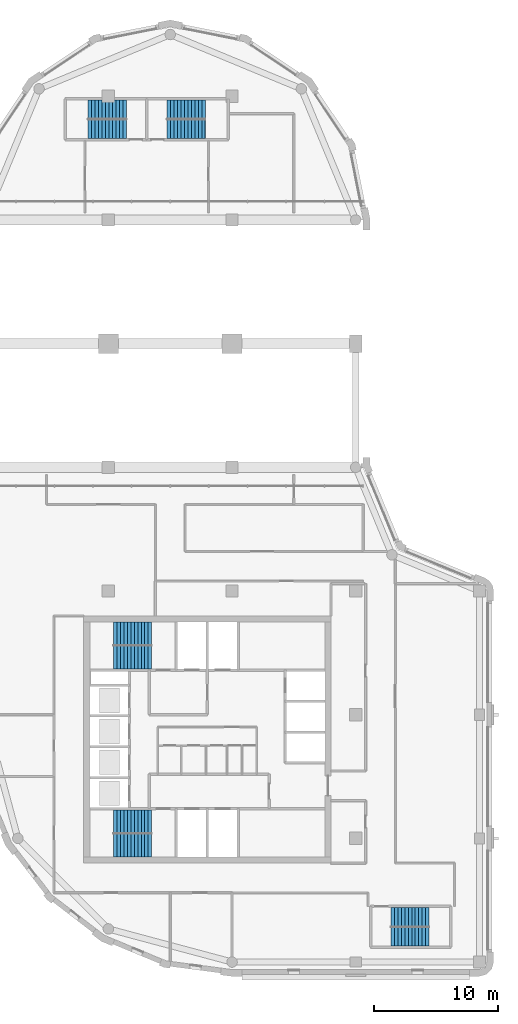
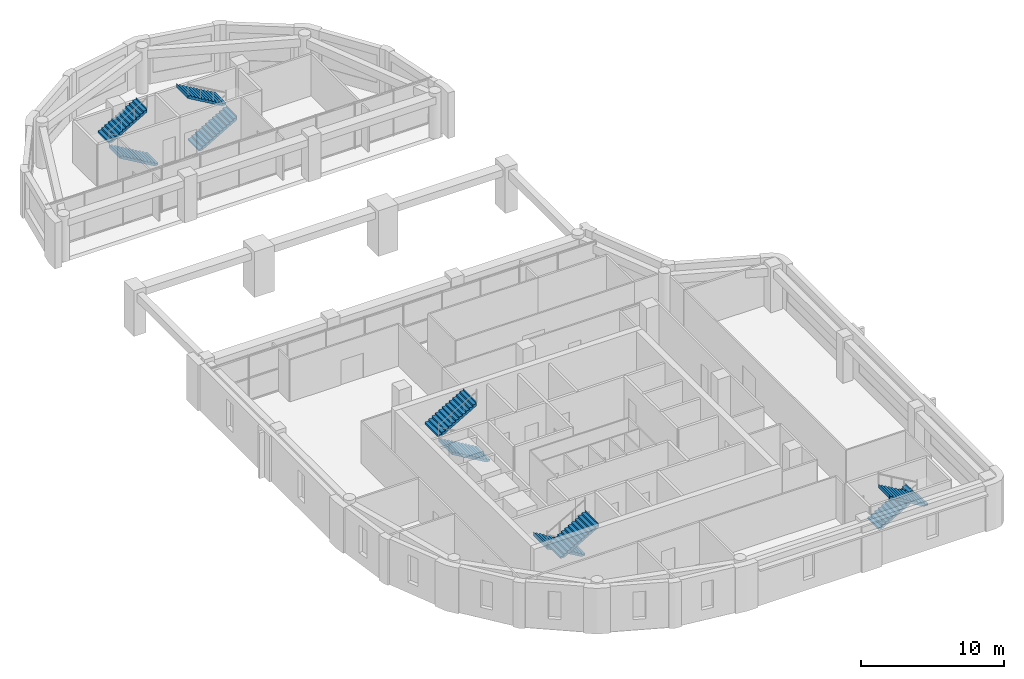
# One storey, part 9 of 11: 10 stair flights, 5 elements without a shape of their own.
"""IFC4 building model written with IfcOpenShell, lengths in metres."""

from ifc_helpers import new_model, si_unit, direction, frame, origin, place, context, subcontext, project, spatial, polyline, outline, extrude, material, type_object, element, aggregate, save


model = new_model("IFC4")

# Units and contexts
model_context = context("Model", 3, precision=1e-05, world=origin(), true_north=direction((0.0, 1.0)))
body_context = subcontext(model_context, "Body", "Model", "MODEL_VIEW")
ifc_project = project(units=[si_unit("LENGTHUNIT", "METRE"), si_unit("AREAUNIT", "SQUARE_METRE"), si_unit("VOLUMEUNIT", "CUBIC_METRE"), si_unit("PLANEANGLEUNIT", "RADIAN"), si_unit("MASSUNIT", "GRAM", prefix="KILO")], contexts=[model_context])

# Site, building, storey
site_placement = place(None, origin())
site = spatial("IfcSite", under=ifc_project, at=site_placement, CompositionType="ELEMENT")
building_placement = place(site_placement, origin())
building = spatial("IfcBuilding", under=site, at=building_placement, Name="Qaws Garden Tower", CompositionType="ELEMENT")
storey_placement = place(building_placement, frame((0.0, 0.0, 325.5)))
storey = spatial("IfcBuildingStorey", under=building, at=storey_placement, Name="L79", CompositionType="ELEMENT", Elevation=325.5)

# Stair, stair flights
ifc_material_1 = material(Name="Concrete C40", Category="concrete")
stair_type_1 = type_object("IfcStairType", Name="Exit stair 1350", PredefinedType="HALF_TURN_STAIR", material=ifc_material_1)
placement = place(storey_placement, origin())
stair_1 = element("IfcStair", 1, at=placement, inside=storey, type_object=stair_type_1, Name="Stair 5", PredefinedType="HALF_TURN_STAIR")
ifc_material_2 = material(Name="Concrete C40", Category="concrete")
stair_flight_type_1 = type_object("IfcStairFlightType", Name="Stair flight 1350", PredefinedType="STRAIGHT", material=ifc_material_2)
stair_flight_1_placement = place(storey_placement, frame((32.85009765625, 3.625, 0.0), z_axis=(0.0, 0.0, 1.0), x_axis=(1.0, 0.0, 0.0)))
stair_flight_1 = element("IfcStairFlight", 2, at=stair_flight_1_placement, type_object=stair_flight_type_1, Name="ST5 flight 1", NumberOfRisers=12, NumberOfTreads=11, PredefinedType="STRAIGHT", RiserHeight=0.1625, TreadLength=0.28, context=body_context, shape_type="SweptSolid", body=[
    extrude(outline(polyline([(-0.0029296875, 0.0), (-0.0029296875, 0.16259765625), (0.0, 0.16259765625), (0.280029296875, 0.16259765625), (0.280029296875, 0.324951171875), (0.56005859375, 0.324951171875), (0.56005859375, 0.487548828125), (0.840087890625, 0.487548828125), (0.840087890625, 0.64990234375), (1.1201171875, 0.64990234375), (1.1201171875, 0.8125), (1.39990234375, 0.8125), (1.39990234375, 0.97509765625), (1.679931640625, 0.97509765625), (1.679931640625, 1.137451171875), (1.9599609375, 1.137451171875), (1.9599609375, 1.300048828125), (2.239990234375, 1.300048828125), (2.239990234375, 1.46240234375), (2.52001953125, 1.46240234375), (2.52001953125, 1.625), (2.800048828125, 1.625), (2.800048828125, 1.78759765625), (3.080078125, 1.78759765625), (3.080078125, 1.949951171875), (3.0830078125, 1.949951171875), (3.0830078125, 1.6142578125), (3.080078125, 1.6142578125), (0.298583984375, 0.0), (-0.0029296875, 0.0)])), frame((0.0, 0.77490234375, 0.0), z_axis=(0.0, -1.0, 0.0), x_axis=(1.0, 0.0, 0.0)), (0.0, 0.0, 1.0), 1.550048828125),
])
stair_flight_2_placement = place(storey_placement, frame((35.929931640625, 2.074951171875, 1.949951171875), z_axis=(0.0, 0.0, 1.0), x_axis=(-1.0, 0.0, 0.0)))
stair_flight_2 = element("IfcStairFlight", 3, at=stair_flight_2_placement, type_object=stair_flight_type_1, Name="ST5 flight 2", NumberOfRisers=12, NumberOfTreads=11, PredefinedType="STRAIGHT", RiserHeight=0.1625, TreadLength=0.28, context=body_context, shape_type="SweptSolid", body=[
    extrude(outline(polyline([(-0.0029296875, 0.0), (-0.0029296875, 0.16259765625), (0.0, 0.16259765625), (0.280029296875, 0.16259765625), (0.280029296875, 0.324951171875), (0.56005859375, 0.324951171875), (0.56005859375, 0.487548828125), (0.840087890625, 0.487548828125), (0.840087890625, 0.64990234375), (1.1201171875, 0.64990234375), (1.1201171875, 0.8125), (1.39990234375, 0.8125), (1.39990234375, 0.97509765625), (1.679931640625, 0.97509765625), (1.679931640625, 1.137451171875), (1.9599609375, 1.137451171875), (1.9599609375, 1.300048828125), (2.239990234375, 1.300048828125), (2.239990234375, 1.46240234375), (2.52001953125, 1.46240234375), (2.52001953125, 1.625), (2.800048828125, 1.625), (2.800048828125, 1.78759765625), (3.080078125, 1.78759765625), (3.080078125, 1.949951171875), (3.0830078125, 1.949951171875), (3.0830078125, 1.6142578125), (3.080078125, 1.6142578125), (0.298583984375, 0.0), (-0.0029296875, 0.0)])), frame((0.0, 0.77490234375, 0.0), z_axis=(0.0, -1.0, 0.0), x_axis=(1.0, 0.0, 0.0)), (0.0, 0.0, 1.0), 1.550048828125),
])
aggregate(stair_1, [stair_flight_1, stair_flight_2])

stair_2 = element("IfcStair", 4, at=placement, inside=storey, type_object=stair_type_1, Name="Stair 6", PredefinedType="HALF_TURN_STAIR")
stair_flight_3_placement = place(storey_placement, frame((11.449951171875, 67.375, 0.0), z_axis=(0.0, 0.0, 1.0), x_axis=(-1.0, 0.0, 0.0)))
stair_flight_3 = element("IfcStairFlight", 5, at=stair_flight_3_placement, type_object=stair_flight_type_1, Name="ST6 flight 1", NumberOfRisers=12, NumberOfTreads=11, PredefinedType="STRAIGHT", RiserHeight=0.1625, TreadLength=0.28, context=body_context, shape_type="SweptSolid", body=[
    extrude(outline(polyline([(-0.0029296875, 0.0), (-0.0029296875, 0.16259765625), (0.0, 0.16259765625), (0.280029296875, 0.16259765625), (0.280029296875, 0.324951171875), (0.56005859375, 0.324951171875), (0.56005859375, 0.487548828125), (0.840087890625, 0.487548828125), (0.840087890625, 0.64990234375), (1.1201171875, 0.64990234375), (1.1201171875, 0.8125), (1.39990234375, 0.8125), (1.39990234375, 0.97509765625), (1.679931640625, 0.97509765625), (1.679931640625, 1.137451171875), (1.9599609375, 1.137451171875), (1.9599609375, 1.300048828125), (2.239990234375, 1.300048828125), (2.239990234375, 1.46240234375), (2.52001953125, 1.46240234375), (2.52001953125, 1.625), (2.800048828125, 1.625), (2.800048828125, 1.78759765625), (3.080078125, 1.78759765625), (3.080078125, 1.949951171875), (3.0830078125, 1.949951171875), (3.0830078125, 1.6142578125), (3.080078125, 1.6142578125), (0.298583984375, 0.0), (-0.0029296875, 0.0)])), frame((0.0, 0.77490234375, 0.0), z_axis=(0.0, -1.0, 0.0), x_axis=(1.0, 0.0, 0.0)), (0.0, 0.0, 1.0), 1.550048828125),
])
stair_flight_4_placement = place(storey_placement, frame((8.3701171875, 68.925048828125, 1.949951171875), z_axis=(0.0, 0.0, 1.0), x_axis=(1.0, 0.0, 0.0)))
stair_flight_4 = element("IfcStairFlight", 6, at=stair_flight_4_placement, type_object=stair_flight_type_1, Name="ST6 flight 2", NumberOfRisers=12, NumberOfTreads=11, PredefinedType="STRAIGHT", RiserHeight=0.1625, TreadLength=0.28, context=body_context, shape_type="SweptSolid", body=[
    extrude(outline(polyline([(-0.0029296875, 0.0), (-0.0029296875, 0.16259765625), (0.0, 0.16259765625), (0.280029296875, 0.16259765625), (0.280029296875, 0.324951171875), (0.56005859375, 0.324951171875), (0.56005859375, 0.487548828125), (0.840087890625, 0.487548828125), (0.840087890625, 0.64990234375), (1.1201171875, 0.64990234375), (1.1201171875, 0.8125), (1.39990234375, 0.8125), (1.39990234375, 0.97509765625), (1.679931640625, 0.97509765625), (1.679931640625, 1.137451171875), (1.9599609375, 1.137451171875), (1.9599609375, 1.300048828125), (2.239990234375, 1.300048828125), (2.239990234375, 1.46240234375), (2.52001953125, 1.46240234375), (2.52001953125, 1.625), (2.800048828125, 1.625), (2.800048828125, 1.78759765625), (3.080078125, 1.78759765625), (3.080078125, 1.949951171875), (3.0830078125, 1.949951171875), (3.0830078125, 1.6142578125), (3.080078125, 1.6142578125), (0.298583984375, 0.0), (-0.0029296875, 0.0)])), frame((0.0, 0.77490234375, 0.0), z_axis=(0.0, -1.0, 0.0), x_axis=(1.0, 0.0, 0.0)), (0.0, 0.0, 1.0), 1.550048828125),
])
aggregate(stair_2, [stair_flight_3, stair_flight_4])

stair_3 = element("IfcStair", 7, at=placement, inside=storey, type_object=stair_type_1, Name="Stair 7", PredefinedType="HALF_TURN_STAIR")
stair_flight_5_placement = place(storey_placement, frame((14.75, 67.375, 0.0), z_axis=(0.0, 0.0, 1.0), x_axis=(1.0, 0.0, 0.0)))
stair_flight_5 = element("IfcStairFlight", 8, at=stair_flight_5_placement, type_object=stair_flight_type_1, Name="ST7 flight 1", NumberOfRisers=12, NumberOfTreads=11, PredefinedType="STRAIGHT", RiserHeight=0.1625, TreadLength=0.28, context=body_context, shape_type="SweptSolid", body=[
    extrude(outline(polyline([(-0.0029296875, 0.0), (-0.0029296875, 0.16259765625), (0.0, 0.16259765625), (0.280029296875, 0.16259765625), (0.280029296875, 0.324951171875), (0.56005859375, 0.324951171875), (0.56005859375, 0.487548828125), (0.840087890625, 0.487548828125), (0.840087890625, 0.64990234375), (1.1201171875, 0.64990234375), (1.1201171875, 0.8125), (1.39990234375, 0.8125), (1.39990234375, 0.97509765625), (1.679931640625, 0.97509765625), (1.679931640625, 1.137451171875), (1.9599609375, 1.137451171875), (1.9599609375, 1.300048828125), (2.239990234375, 1.300048828125), (2.239990234375, 1.46240234375), (2.52001953125, 1.46240234375), (2.52001953125, 1.625), (2.800048828125, 1.625), (2.800048828125, 1.78759765625), (3.080078125, 1.78759765625), (3.080078125, 1.949951171875), (3.0830078125, 1.949951171875), (3.0830078125, 1.6142578125), (3.080078125, 1.6142578125), (0.298583984375, 0.0), (-0.0029296875, 0.0)])), frame((0.0, 0.77490234375, 0.0), z_axis=(0.0, -1.0, 0.0), x_axis=(1.0, 0.0, 0.0)), (0.0, 0.0, 1.0), 1.550048828125),
])
stair_flight_6_placement = place(storey_placement, frame((17.830078125, 68.925048828125, 1.949951171875), z_axis=(0.0, 0.0, 1.0), x_axis=(-1.0, 0.0, 0.0)))
stair_flight_6 = element("IfcStairFlight", 9, at=stair_flight_6_placement, type_object=stair_flight_type_1, Name="ST7 flight 2", NumberOfRisers=12, NumberOfTreads=11, PredefinedType="STRAIGHT", RiserHeight=0.1625, TreadLength=0.28, context=body_context, shape_type="SweptSolid", body=[
    extrude(outline(polyline([(-0.0029296875, 0.0), (-0.0029296875, 0.16259765625), (0.0, 0.16259765625), (0.280029296875, 0.16259765625), (0.280029296875, 0.324951171875), (0.56005859375, 0.324951171875), (0.56005859375, 0.487548828125), (0.840087890625, 0.487548828125), (0.840087890625, 0.64990234375), (1.1201171875, 0.64990234375), (1.1201171875, 0.8125), (1.39990234375, 0.8125), (1.39990234375, 0.97509765625), (1.679931640625, 0.97509765625), (1.679931640625, 1.137451171875), (1.9599609375, 1.137451171875), (1.9599609375, 1.300048828125), (2.239990234375, 1.300048828125), (2.239990234375, 1.46240234375), (2.52001953125, 1.46240234375), (2.52001953125, 1.625), (2.800048828125, 1.625), (2.800048828125, 1.78759765625), (3.080078125, 1.78759765625), (3.080078125, 1.949951171875), (3.0830078125, 1.949951171875), (3.0830078125, 1.6142578125), (3.080078125, 1.6142578125), (0.298583984375, 0.0), (-0.0029296875, 0.0)])), frame((0.0, 0.77490234375, 0.0), z_axis=(0.0, -1.0, 0.0), x_axis=(1.0, 0.0, 0.0)), (0.0, 0.0, 1.0), 1.550048828125),
])
aggregate(stair_3, [stair_flight_5, stair_flight_6])

ifc_material_3 = material(Name="Concrete C40", Category="concrete")
stair_type_2 = type_object("IfcStairType", Name="Exit stair 1500", PredefinedType="HALF_TURN_STAIR", material=ifc_material_3)
stair_4 = element("IfcStair", 10, at=placement, inside=storey, type_object=stair_type_2, Name="Stair 1", PredefinedType="HALF_TURN_STAIR")
ifc_material_4 = material(Name="Concrete C40", Category="concrete")
stair_flight_type_2 = type_object("IfcStairFlightType", Name="Stair flight 1500", PredefinedType="STRAIGHT", material=ifc_material_4)
stair_flight_7_placement = place(storey_placement, frame((13.5, 11.35009765625, 0.0), z_axis=(0.0, 0.0, 1.0), x_axis=(-1.0, 0.0, 0.0)))
stair_flight_7 = element("IfcStairFlight", 11, at=stair_flight_7_placement, type_object=stair_flight_type_2, Name="ST1 flight 1", NumberOfRisers=12, NumberOfTreads=11, PredefinedType="STRAIGHT", RiserHeight=0.1625, TreadLength=0.28, context=body_context, shape_type="SweptSolid", body=[
    extrude(outline(polyline([(-0.0029296875, 0.0), (-0.0029296875, 0.16259765625), (0.0, 0.16259765625), (0.280029296875, 0.16259765625), (0.280029296875, 0.324951171875), (0.56005859375, 0.324951171875), (0.56005859375, 0.487548828125), (0.840087890625, 0.487548828125), (0.840087890625, 0.64990234375), (1.1201171875, 0.64990234375), (1.1201171875, 0.8125), (1.39990234375, 0.8125), (1.39990234375, 0.97509765625), (1.679931640625, 0.97509765625), (1.679931640625, 1.137451171875), (1.9599609375, 1.137451171875), (1.9599609375, 1.300048828125), (2.239990234375, 1.300048828125), (2.239990234375, 1.46240234375), (2.52001953125, 1.46240234375), (2.52001953125, 1.625), (2.800048828125, 1.625), (2.800048828125, 1.78759765625), (3.080078125, 1.78759765625), (3.080078125, 1.949951171875), (3.0830078125, 1.949951171875), (3.0830078125, 1.6142578125), (3.080078125, 1.6142578125), (0.298583984375, 0.0), (-0.0029296875, 0.0)])), frame((0.0, 0.949951171875, 0.0), z_axis=(0.0, -1.0, 0.0), x_axis=(1.0, 0.0, 0.0)), (0.0, 0.0, 1.0), 1.89990234375),
])
stair_flight_8_placement = place(storey_placement, frame((10.419921875, 9.449951171875, 1.949951171875), z_axis=(0.0, 0.0, 1.0), x_axis=(1.0, 0.0, 0.0)))
stair_flight_8 = element("IfcStairFlight", 12, at=stair_flight_8_placement, type_object=stair_flight_type_2, Name="ST1 flight 2", NumberOfRisers=12, NumberOfTreads=11, PredefinedType="STRAIGHT", RiserHeight=0.1625, TreadLength=0.28, context=body_context, shape_type="SweptSolid", body=[
    extrude(outline(polyline([(-0.0029296875, 0.0), (-0.0029296875, 0.16259765625), (0.0, 0.16259765625), (0.280029296875, 0.16259765625), (0.280029296875, 0.324951171875), (0.56005859375, 0.324951171875), (0.56005859375, 0.487548828125), (0.840087890625, 0.487548828125), (0.840087890625, 0.64990234375), (1.1201171875, 0.64990234375), (1.1201171875, 0.8125), (1.39990234375, 0.8125), (1.39990234375, 0.97509765625), (1.679931640625, 0.97509765625), (1.679931640625, 1.137451171875), (1.9599609375, 1.137451171875), (1.9599609375, 1.300048828125), (2.239990234375, 1.300048828125), (2.239990234375, 1.46240234375), (2.52001953125, 1.46240234375), (2.52001953125, 1.625), (2.800048828125, 1.625), (2.800048828125, 1.78759765625), (3.080078125, 1.78759765625), (3.080078125, 1.949951171875), (3.0830078125, 1.949951171875), (3.0830078125, 1.6142578125), (3.080078125, 1.6142578125), (0.298583984375, 0.0), (-0.0029296875, 0.0)])), frame((0.0, 0.949951171875, 0.0), z_axis=(0.0, -1.0, 0.0), x_axis=(1.0, 0.0, 0.0)), (0.0, 0.0, 1.0), 1.89990234375),
])
aggregate(stair_4, [stair_flight_7, stair_flight_8])

stair_5 = element("IfcStair", 13, at=placement, inside=storey, type_object=stair_type_2, Name="Stair 4", PredefinedType="HALF_TURN_STAIR")
stair_flight_9_placement = place(storey_placement, frame((13.5, 24.64990234375, 0.0), z_axis=(0.0, 0.0, 1.0), x_axis=(-1.0, 0.0, 0.0)))
stair_flight_9 = element("IfcStairFlight", 14, at=stair_flight_9_placement, type_object=stair_flight_type_2, Name="ST4 flight 1", NumberOfRisers=12, NumberOfTreads=11, PredefinedType="STRAIGHT", RiserHeight=0.1625, TreadLength=0.28, context=body_context, shape_type="SweptSolid", body=[
    extrude(outline(polyline([(-0.0029296875, 0.0), (-0.0029296875, 0.16259765625), (0.0, 0.16259765625), (0.280029296875, 0.16259765625), (0.280029296875, 0.324951171875), (0.56005859375, 0.324951171875), (0.56005859375, 0.487548828125), (0.840087890625, 0.487548828125), (0.840087890625, 0.64990234375), (1.1201171875, 0.64990234375), (1.1201171875, 0.8125), (1.39990234375, 0.8125), (1.39990234375, 0.97509765625), (1.679931640625, 0.97509765625), (1.679931640625, 1.137451171875), (1.9599609375, 1.137451171875), (1.9599609375, 1.300048828125), (2.239990234375, 1.300048828125), (2.239990234375, 1.46240234375), (2.52001953125, 1.46240234375), (2.52001953125, 1.625), (2.800048828125, 1.625), (2.800048828125, 1.78759765625), (3.080078125, 1.78759765625), (3.080078125, 1.949951171875), (3.0830078125, 1.949951171875), (3.0830078125, 1.6142578125), (3.080078125, 1.6142578125), (0.298583984375, 0.0), (-0.0029296875, 0.0)])), frame((0.0, 0.94482421875, 0.0), z_axis=(0.0, -1.0, 0.0), x_axis=(1.0, 0.0, 0.0)), (0.0, 0.0, 1.0), 1.889892578125),
])
stair_flight_10_placement = place(storey_placement, frame((10.419921875, 26.550048828125, 1.949951171875), z_axis=(0.0, 0.0, 1.0), x_axis=(1.0, 0.0, 0.0)))
stair_flight_10 = element("IfcStairFlight", 15, at=stair_flight_10_placement, type_object=stair_flight_type_2, Name="ST4 flight 2", NumberOfRisers=12, NumberOfTreads=11, PredefinedType="STRAIGHT", RiserHeight=0.1625, TreadLength=0.28, context=body_context, shape_type="SweptSolid", body=[
    extrude(outline(polyline([(-0.0029296875, 0.0), (-0.0029296875, 0.16259765625), (0.0, 0.16259765625), (0.280029296875, 0.16259765625), (0.280029296875, 0.324951171875), (0.56005859375, 0.324951171875), (0.56005859375, 0.487548828125), (0.840087890625, 0.487548828125), (0.840087890625, 0.64990234375), (1.1201171875, 0.64990234375), (1.1201171875, 0.8125), (1.39990234375, 0.8125), (1.39990234375, 0.97509765625), (1.679931640625, 0.97509765625), (1.679931640625, 1.137451171875), (1.9599609375, 1.137451171875), (1.9599609375, 1.300048828125), (2.239990234375, 1.300048828125), (2.239990234375, 1.46240234375), (2.52001953125, 1.46240234375), (2.52001953125, 1.625), (2.800048828125, 1.625), (2.800048828125, 1.78759765625), (3.080078125, 1.78759765625), (3.080078125, 1.949951171875), (3.0830078125, 1.949951171875), (3.0830078125, 1.6142578125), (3.080078125, 1.6142578125), (0.298583984375, 0.0), (-0.0029296875, 0.0)])), frame((0.0, 0.94482421875, 0.0), z_axis=(0.0, -1.0, 0.0), x_axis=(1.0, 0.0, 0.0)), (0.0, 0.0, 1.0), 1.889892578125),
])
aggregate(stair_5, [stair_flight_9, stair_flight_10])

save(model, "model.ifc")
